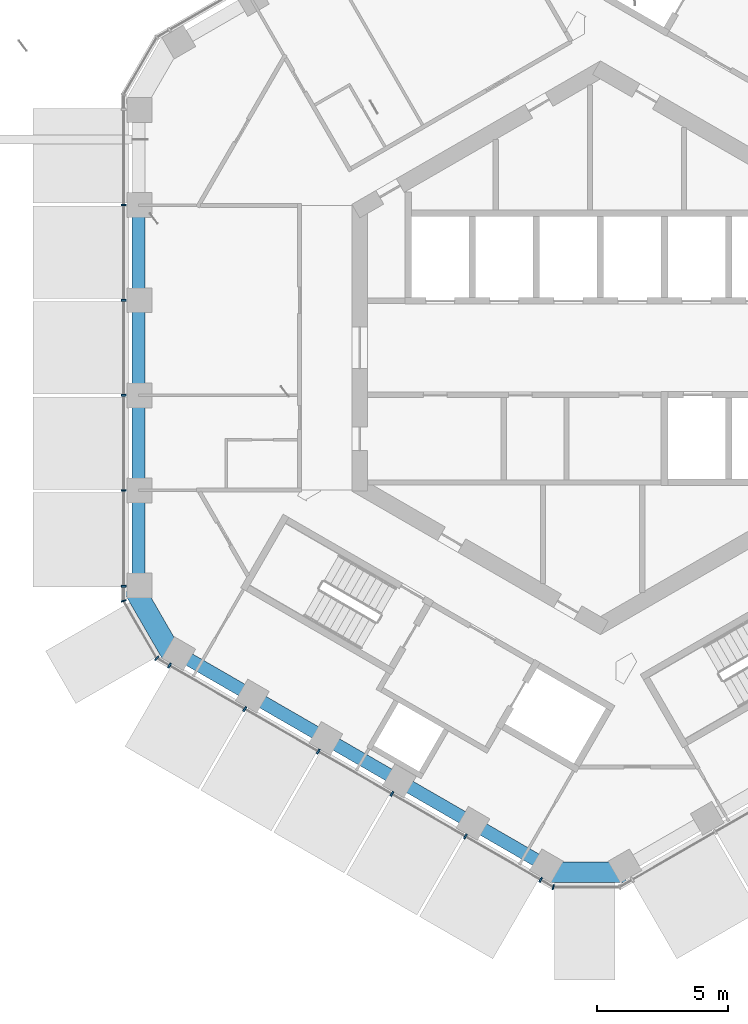
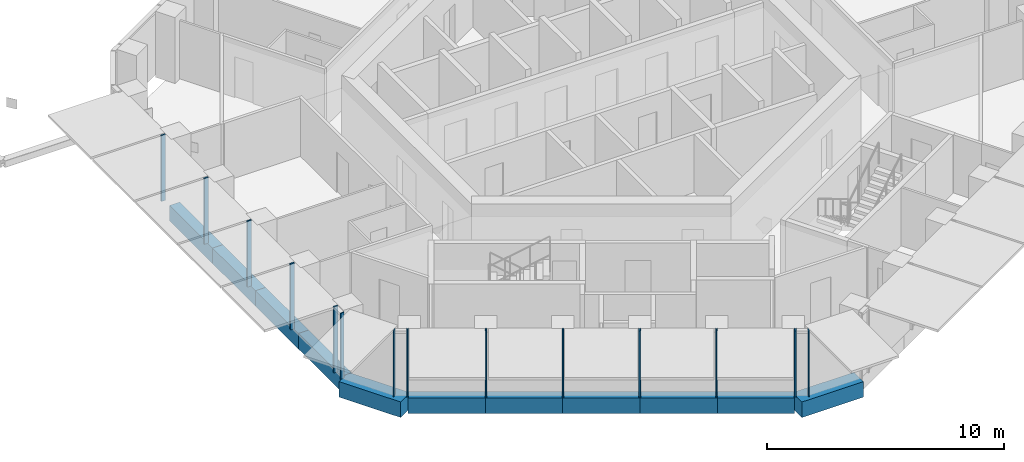
# One storey, part 2 of 21: 14 members, 11 beams, 4 elements without a shape of their own.
"""IFC4 building model written with IfcOpenShell, lengths in metres."""

from ifc_helpers import new_model, si_unit, direction, frame, origin, origin_2d, place, context, subcontext, project, spatial, rectangle, extrude, material, layer, layer_set, material_profile, profile_set, type_object, element, aggregate, save


model = new_model("IFC4")

# Units and contexts
model_context = context("Model", 3, precision=1e-05, world=origin(), true_north=direction((0.0, 1.0)))
body_context = subcontext(model_context, "Body", "Model", "MODEL_VIEW")
ifc_project = project(units=[si_unit("LENGTHUNIT", "METRE"), si_unit("AREAUNIT", "SQUARE_METRE"), si_unit("VOLUMEUNIT", "CUBIC_METRE"), si_unit("PLANEANGLEUNIT", "RADIAN"), si_unit("MASSUNIT", "GRAM", prefix="KILO")], contexts=[model_context])

# Site, building, storey
site_placement = place(None, origin())
site = spatial("IfcSite", under=ifc_project, at=site_placement, CompositionType="ELEMENT")
building_placement = place(site_placement, origin())
building = spatial("IfcBuilding", under=site, at=building_placement, Name="Ayvan Gate Tower", CompositionType="ELEMENT")
storey_placement = place(building_placement, frame((0.0, 0.0, 183.300048828125)))
storey = spatial("IfcBuildingStorey", under=building, at=storey_placement, Name="L49", CompositionType="ELEMENT", Elevation=183.300048828125)

# Beams
ifc_material_1 = material(Name="Concrete C40/50", Category="concrete")
ifc_material_profile_1 = material_profile(ifc_material_1, rectangle(XDim=0.800048828125, YDim=0.800048828125, at=origin_2d()), Name="RC 800x800")
ifc_profile_set_1 = profile_set([ifc_material_profile_1], Name="Concrete C40/50")
beam_type_1 = type_object("IfcBeamType", Name="Corner spandrel beam RC 800x800 C40/50", PredefinedType="BEAM", material=ifc_profile_set_1)
for number, where, z_axis, x_axis, name in (
    (1, (-17.85595703125, -9.1787109375, -0.75), (0.499990139034, -0.866031096941, 0.0), (0.866031096941, 0.499990139034, 0.0), "SB-L49-24"),
    (2, (-2.02099609375, -20.05322265625, -0.75), (1.0, 0.0, 0.0), (0.0, 1.0, 0.0), "SB-L49-30"),
):
    element("IfcBeam", number, at=place(storey_placement, frame(where, z_axis=z_axis, x_axis=x_axis)), inside=storey, type_object=beam_type_1, Name=name, PredefinedType="BEAM", context=body_context, shape_type="SweptSolid", body=[
        extrude(rectangle(XDim=0.800048828125, YDim=0.800048828125, at=origin_2d()), origin(), (0.0, 0.0, 1.0), 3.0),
    ])
ifc_material_profile_2 = material_profile(ifc_material_1, rectangle(XDim=0.5, YDim=0.800048828125, at=origin_2d()), Name="RC 500x800")
ifc_profile_set_2 = profile_set([ifc_material_profile_2], Name="Concrete C40/50")
beam_type_2 = type_object("IfcBeamType", Name="Spandrel beam RC 500x800 C40/50", PredefinedType="BEAM", material=ifc_profile_set_2)
for number, where, z_axis, x_axis, name in (
    (3, (-17.66552734375, 5.441162109375, -0.75), (0.0, -1.0, 0.0), (1.0, 0.0, 0.0), "SB-L49-20"),
    (4, (-17.66552734375, 1.813720703125, -0.75), (0.0, -1.0, 0.0), (1.0, 0.0, 0.0), "SB-L49-21"),
    (5, (-17.66552734375, -1.813720703125, -0.75), (0.0, -1.0, 0.0), (1.0, 0.0, 0.0), "SB-L49-22"),
):
    element("IfcBeam", number, at=place(storey_placement, frame(where, z_axis=z_axis, x_axis=x_axis)), inside=storey, type_object=beam_type_2, Name=name, PredefinedType="BEAM", context=body_context, shape_type="SweptSolid", body=[
        extrude(rectangle(XDim=0.5, YDim=0.800048828125, at=origin_2d()), origin(), (0.0, 0.0, 1.0), 3.62744140625),
    ])
beam_1_placement = place(storey_placement, frame((-17.66552734375, -5.441162109375, -0.75), z_axis=(0.0, -1.0, 0.0), x_axis=(1.0, 0.0, 0.0)))
element("IfcBeam", 6, at=beam_1_placement, inside=storey, type_object=beam_type_2, Name="SB-L49-23", PredefinedType="BEAM", context=body_context, shape_type="SweptSolid", body=[
    extrude(rectangle(XDim=0.5, YDim=0.800048828125, at=origin_2d()), origin(), (0.0, 0.0, 1.0), 3.627685546875),
])
for number, where, z_axis, x_axis, name in (
    (7, (-16.16552734375, -11.666748046875, -0.75), (0.86601755775, -0.500013589484, 0.0), (0.500013589484, 0.86601755775, 0.0), "SB-L49-25"),
    (8, (-13.336669921875, -13.300048828125, -0.75), (0.86601755775, -0.500013589484, 0.0), (0.500013589484, 0.86601755775, 0.0), "SB-L49-26"),
):
    element("IfcBeam", number, at=place(storey_placement, frame(where, z_axis=z_axis, x_axis=x_axis)), inside=storey, type_object=beam_type_2, Name=name, PredefinedType="BEAM", context=body_context, shape_type="SweptSolid", body=[
        extrude(rectangle(XDim=0.5, YDim=0.800048828125, at=origin_2d()), origin(), (0.0, 0.0, 1.0), 3.2666015625),
    ])
beam_2_placement = place(storey_placement, frame((-10.5078125, -14.933349609375, -0.75), z_axis=(0.866036242063, -0.49998122708, 0.0), x_axis=(0.49998122708, 0.866036242063, 0.0)))
element("IfcBeam", 9, at=beam_2_placement, inside=storey, type_object=beam_type_2, Name="SB-L49-27", PredefinedType="BEAM", context=body_context, shape_type="SweptSolid", body=[
    extrude(rectangle(XDim=0.5, YDim=0.800048828125, at=origin_2d()), origin(), (0.0, 0.0, 1.0), 3.266845703125),
])
for number, where, z_axis, x_axis, name in (
    (10, (-7.6787109375, -16.566650390625, -0.75), (0.86601755775, -0.500013589484, 0.0), (0.500013589484, 0.86601755775, 0.0), "SB-L49-28"),
    (11, (-4.849853515625, -18.199951171875, -0.75), (0.86601755775, -0.500013589484, 0.0), (0.500013589484, 0.86601755775, 0.0), "SB-L49-29"),
):
    element("IfcBeam", number, at=place(storey_placement, frame(where, z_axis=z_axis, x_axis=x_axis)), inside=storey, type_object=beam_type_2, Name=name, PredefinedType="BEAM", context=body_context, shape_type="SweptSolid", body=[
        extrude(rectangle(XDim=0.5, YDim=0.800048828125, at=origin_2d()), origin(), (0.0, 0.0, 1.0), 3.2666015625),
    ])

# Curtain wall, members
ifc_material_2 = material(Name="Bronze anodised aluminium", Category="aluminium")
ifc_layer_1 = layer(ifc_material_2, 0.199951171875)
ifc_layer_set_1 = layer_set([ifc_layer_1], Name="Bronze anodised aluminium")
curtain_wall_type_1 = type_object("IfcCurtainWallType", Name="Stick curtain wall CW-2", PredefinedType="NOTDEFINED", material=ifc_layer_set_1)
curtain_wall_1_placement = place(storey_placement, origin())
curtain_wall_1 = element("IfcCurtainWall", 12, at=curtain_wall_1_placement, inside=storey, type_object=curtain_wall_type_1, Name="Stick curtain wall CW-2 L49", PredefinedType="NOTDEFINED")
ifc_material_profile_3 = material_profile(ifc_material_2, rectangle(XDim=0.199951171875, YDim=0.070068359375, at=origin_2d()), Name="Stick curtain wall CW-2 mullion 200 x 70")
ifc_profile_set_3 = profile_set([ifc_material_profile_3], Name="Bronze anodised aluminium")
member_type_1 = type_object("IfcMemberType", Name="Stick curtain wall CW-2 mullion 200 x 70", PredefinedType="MULLION", material=ifc_profile_set_3)
member_1_placement = place(storey_placement, frame((-18.227294921875, 5.4560546875, 0.0), z_axis=(0.0, 0.0, 1.0), x_axis=(-1.0, 0.0, 0.0)))
member_1 = element("IfcMember", 13, at=member_1_placement, type_object=member_type_1, Name="CW-2 mullion 2", PredefinedType="MULLION", context=body_context, shape_type="SweptSolid", body=[
    extrude(rectangle(XDim=0.199951171875, YDim=0.070068359375, at=origin_2d()), origin(), (0.0, 0.0, 1.0), 3.39990234375),
])
member_2_placement = place(storey_placement, frame((-18.227294921875, 1.819091796875, 0.0), z_axis=(0.0, 0.0, 1.0), x_axis=(-1.0, 0.0, 0.0)))
member_2 = element("IfcMember", 14, at=member_2_placement, type_object=member_type_1, Name="CW-2 mullion 3", PredefinedType="MULLION", context=body_context, shape_type="SweptSolid", body=[
    extrude(rectangle(XDim=0.199951171875, YDim=0.070068359375, at=origin_2d()), origin(), (0.0, 0.0, 1.0), 3.39990234375),
])
member_3_placement = place(storey_placement, frame((-18.227294921875, -1.819091796875, 0.0), z_axis=(0.0, 0.0, 1.0), x_axis=(-1.0, 0.0, 0.0)))
member_3 = element("IfcMember", 15, at=member_3_placement, type_object=member_type_1, Name="CW-2 mullion 4", PredefinedType="MULLION", context=body_context, shape_type="SweptSolid", body=[
    extrude(rectangle(XDim=0.199951171875, YDim=0.070068359375, at=origin_2d()), origin(), (0.0, 0.0, 1.0), 3.39990234375),
])
member_4_placement = place(storey_placement, frame((-18.227294921875, -5.4560546875, 0.0), z_axis=(0.0, 0.0, 1.0), x_axis=(-1.0, 0.0, 0.0)))
member_4 = element("IfcMember", 16, at=member_4_placement, type_object=member_type_1, Name="CW-2 mullion 5", PredefinedType="MULLION", context=body_context, shape_type="SweptSolid", body=[
    extrude(rectangle(XDim=0.199951171875, YDim=0.070068359375, at=origin_2d()), origin(), (0.0, 0.0, 1.0), 3.39990234375),
])
member_5_placement = place(storey_placement, frame((-18.227294921875, -9.116943359375, 0.0), z_axis=(0.0, 0.0, 1.0), x_axis=(-1.0, 0.0, 0.0)))
member_5 = element("IfcMember", 17, at=member_5_placement, type_object=member_type_1, Name="CW-2 mullion 6", PredefinedType="MULLION", context=body_context, shape_type="SweptSolid", body=[
    extrude(rectangle(XDim=0.199951171875, YDim=0.070068359375, at=origin_2d()), origin(), (0.0, 0.0, 1.0), 3.39990234375),
])
aggregate(curtain_wall_1, [member_1, member_2, member_3, member_4, member_5])

curtain_wall_2_placement = place(storey_placement, origin())
curtain_wall_2 = element("IfcCurtainWall", 18, at=curtain_wall_2_placement, inside=storey, type_object=curtain_wall_type_1, Name="Stick curtain wall CW-2 L49", PredefinedType="NOTDEFINED")
member_6_placement = place(storey_placement, frame((-16.47509765625, -12.152099609375, 0.0), z_axis=(0.0, 0.0, 1.0), x_axis=(-0.5, -0.866025403784, 0.0)))
member_6 = element("IfcMember", 19, at=member_6_placement, type_object=member_type_1, Name="CW-2 mullion 1", PredefinedType="MULLION", context=body_context, shape_type="SweptSolid", body=[
    extrude(rectangle(XDim=0.199951171875, YDim=0.070068359375, at=origin_2d()), origin(), (0.0, 0.0, 1.0), 3.39990234375),
])
member_7_placement = place(storey_placement, frame((-13.59814453125, -13.81298828125, 0.0), z_axis=(0.0, 0.0, 1.0), x_axis=(-0.5, -0.866025403784, 0.0)))
member_7 = element("IfcMember", 20, at=member_7_placement, type_object=member_type_1, Name="CW-2 mullion 2", PredefinedType="MULLION", context=body_context, shape_type="SweptSolid", body=[
    extrude(rectangle(XDim=0.199951171875, YDim=0.070068359375, at=origin_2d()), origin(), (0.0, 0.0, 1.0), 3.39990234375),
])
member_8_placement = place(storey_placement, frame((-10.7861328125, -15.4365234375, 0.0), z_axis=(0.0, 0.0, 1.0), x_axis=(-0.5, -0.866025403784, 0.0)))
member_8 = element("IfcMember", 21, at=member_8_placement, type_object=member_type_1, Name="CW-2 mullion 3", PredefinedType="MULLION", context=body_context, shape_type="SweptSolid", body=[
    extrude(rectangle(XDim=0.199951171875, YDim=0.070068359375, at=origin_2d()), origin(), (0.0, 0.0, 1.0), 3.39990234375),
])
member_9_placement = place(storey_placement, frame((-7.97509765625, -17.0595703125, 0.0), z_axis=(0.0, 0.0, 1.0), x_axis=(-0.5, -0.866025403784, 0.0)))
member_9 = element("IfcMember", 22, at=member_9_placement, type_object=member_type_1, Name="CW-2 mullion 4", PredefinedType="MULLION", context=body_context, shape_type="SweptSolid", body=[
    extrude(rectangle(XDim=0.199951171875, YDim=0.070068359375, at=origin_2d()), origin(), (0.0, 0.0, 1.0), 3.39990234375),
])
member_10_placement = place(storey_placement, frame((-5.1630859375, -18.68310546875, 0.0), z_axis=(0.0, 0.0, 1.0), x_axis=(-0.5, -0.866025403784, 0.0)))
member_10 = element("IfcMember", 23, at=member_10_placement, type_object=member_type_1, Name="CW-2 mullion 5", PredefinedType="MULLION", context=body_context, shape_type="SweptSolid", body=[
    extrude(rectangle(XDim=0.199951171875, YDim=0.070068359375, at=origin_2d()), origin(), (0.0, 0.0, 1.0), 3.39990234375),
])
member_11_placement = place(storey_placement, frame((-2.286376953125, -20.343994140625, 0.0), z_axis=(0.0, 0.0, 1.0), x_axis=(-0.5, -0.866025403784, 0.0)))
member_11 = element("IfcMember", 24, at=member_11_placement, type_object=member_type_1, Name="CW-2 mullion 6", PredefinedType="MULLION", context=body_context, shape_type="SweptSolid", body=[
    extrude(rectangle(XDim=0.199951171875, YDim=0.070068359375, at=origin_2d()), origin(), (0.0, 0.0, 1.0), 3.39990234375),
])
aggregate(curtain_wall_2, [member_6, member_7, member_8, member_9, member_10, member_11])

ifc_layer_2 = layer(ifc_material_2, 0.199951171875)
ifc_layer_set_2 = layer_set([ifc_layer_2], Name="Bronze anodised aluminium")
curtain_wall_type_2 = type_object("IfcCurtainWallType", Name="Stick curtain wall CW-6", PredefinedType="NOTDEFINED", material=ifc_layer_set_2)
curtain_wall_3_placement = place(storey_placement, origin())
curtain_wall_3 = element("IfcCurtainWall", 25, at=curtain_wall_3_placement, inside=storey, type_object=curtain_wall_type_2, Name="Stick curtain wall CW-6 L49", PredefinedType="NOTDEFINED")
ifc_material_profile_4 = material_profile(ifc_material_2, rectangle(XDim=0.199951171875, YDim=0.050048828125, at=origin_2d()), Name="Stick curtain wall CW-6 mullion 200 x 50")
ifc_profile_set_4 = profile_set([ifc_material_profile_4], Name="Bronze anodised aluminium")
member_type_2 = type_object("IfcMemberType", Name="Stick curtain wall CW-6 mullion 200 x 50", PredefinedType="MULLION", material=ifc_profile_set_4)
member_12_placement = place(storey_placement, frame((-18.227294921875, -9.677001953125, 0.0), z_axis=(0.0, 0.0, 1.0), x_axis=(-0.965925826289, -0.258819045103, 0.0)))
member_12 = element("IfcMember", 26, at=member_12_placement, type_object=member_type_2, Name="CW-6 mullion 2", PredefinedType="MULLION", context=body_context, shape_type="SweptSolid", body=[
    extrude(rectangle(XDim=0.199951171875, YDim=0.050048828125, at=origin_2d()), origin(), (0.0, 0.0, 1.0), 3.39990234375),
])
member_13_placement = place(storey_placement, frame((-16.960205078125, -11.8720703125, 0.0), z_axis=(0.0, 0.0, 1.0), x_axis=(-0.707106781187, -0.707106781187, 0.0)))
member_13 = element("IfcMember", 27, at=member_13_placement, type_object=member_type_2, Name="CW-6 mullion 3", PredefinedType="MULLION", context=body_context, shape_type="SweptSolid", body=[
    extrude(rectangle(XDim=0.199951171875, YDim=0.050048828125, at=origin_2d()), origin(), (0.0, 0.0, 1.0), 3.39990234375),
])
aggregate(curtain_wall_3, [member_12, member_13])

# Curtain wall, member
curtain_wall_4_placement = place(storey_placement, origin())
curtain_wall_4 = element("IfcCurtainWall", 28, at=curtain_wall_4_placement, inside=storey, type_object=curtain_wall_type_2, Name="Stick curtain wall CW-6 L49", PredefinedType="NOTDEFINED")
member_14_placement = place(storey_placement, frame((-1.801513671875, -20.6240234375, 0.0), z_axis=(0.0, 0.0, 1.0), x_axis=(-0.258819045103, -0.965925826289, 0.0)))
member_14 = element("IfcMember", 29, at=member_14_placement, type_object=member_type_2, Name="CW-6 mullion 2", PredefinedType="MULLION", context=body_context, shape_type="SweptSolid", body=[
    extrude(rectangle(XDim=0.199951171875, YDim=0.050048828125, at=origin_2d()), origin(), (0.0, 0.0, 1.0), 3.39990234375),
])
aggregate(curtain_wall_4, [member_14])

save(model, "model.ifc")
